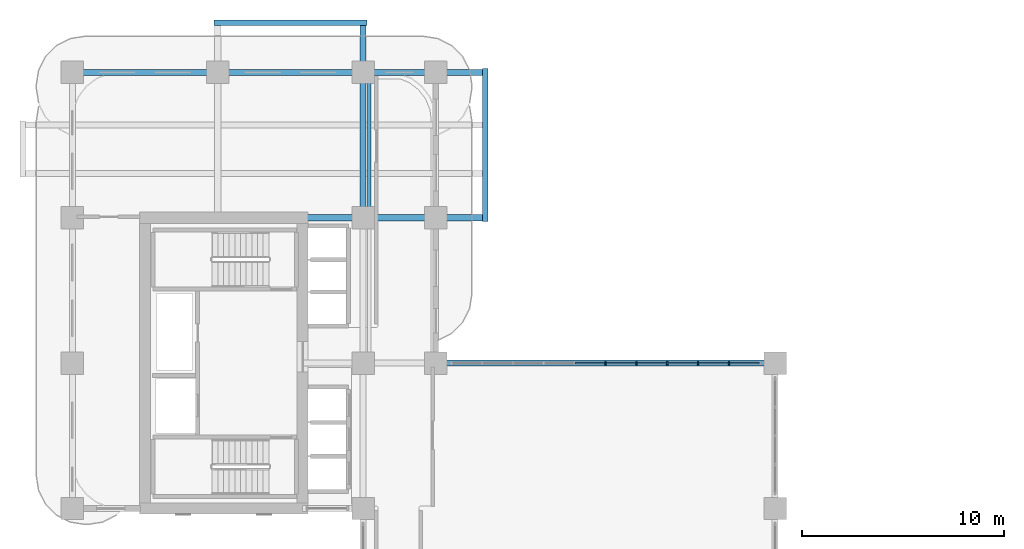
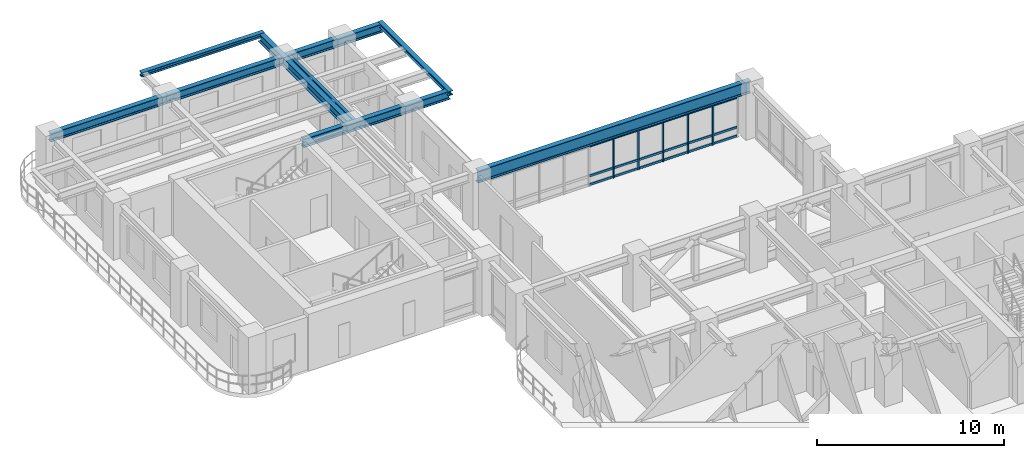
# One storey, part 6 of 21: 23 members, 8 beams, 1 element without a shape of its own.
"""IFC4 building model written with IfcOpenShell, lengths in metres."""

from ifc_helpers import new_model, si_unit, derived_unit, direction, frame, origin, origin_2d, place, context, subcontext, project, spatial, rectangle, i_section, extrude, source, transform, mapped, material, layer, layer_set, material_profile, profile_set, type_object, type_shapes, element, aggregate, save


model = new_model("IFC4")

# Units and contexts
model_context = context("Model", 3, precision=1e-05, world=origin(), true_north=direction((0.0, 1.0)))
body_context = subcontext(model_context, "Body", "Model", "MODEL_VIEW")
ifc_project = project(units=[si_unit("LENGTHUNIT", "METRE"), si_unit("AREAUNIT", "SQUARE_METRE"), si_unit("VOLUMEUNIT", "CUBIC_METRE"), si_unit("PLANEANGLEUNIT", "RADIAN"), si_unit("MASSUNIT", "GRAM", prefix="KILO"), si_unit("THERMODYNAMICTEMPERATUREUNIT", "KELVIN"), si_unit("POWERUNIT", "WATT"), derived_unit("THERMALTRANSMITTANCEUNIT", [(si_unit("POWERUNIT", "WATT"), 1), (si_unit("AREAUNIT", "SQUARE_METRE"), -1), (si_unit("THERMODYNAMICTEMPERATUREUNIT", "KELVIN"), -1)])], contexts=[model_context])

# Site, building, storey
site_placement = place(None, origin())
site = spatial("IfcSite", under=ifc_project, at=site_placement, CompositionType="ELEMENT")
building_placement = place(site_placement, origin())
building = spatial("IfcBuilding", under=site, at=building_placement, Name="Zahravan Archway Hotel and Residences", CompositionType="ELEMENT")
storey_placement = place(building_placement, frame((0.0, 0.0, 65.699951171875)))
storey = spatial("IfcBuildingStorey", under=building, at=storey_placement, Name="L15", CompositionType="ELEMENT", Elevation=65.699951171875)

# Beams
ifc_material_1 = material(Name="Structural Steel S355JR", Category="steel")
ifc_material_profile_1 = material_profile(ifc_material_1, i_section(OverallWidth=0.280029296875, OverallDepth=0.280029296875, WebThickness=0.010498046875, FlangeThickness=0.01806640625, FilletRadius=0.02392578125, at=origin_2d()), Name="HEB 280", Category="steel")
ifc_profile_set_1 = profile_set([ifc_material_profile_1], Name="Structural Steel S355JR")
beam_type_1 = type_object("IfcBeamType", Name="BM-SPN-HEB280", PredefinedType="SPANDREL", material=ifc_profile_set_1)
shared_shape_1 = source(origin(), body_context, "Body", "SweptSolid", [
    extrude(i_section(OverallWidth=0.280029296875, OverallDepth=0.280029296875, WebThickness=0.010498046875, FlangeThickness=0.01806640625, FilletRadius=0.02392578125, at=origin_2d()), origin(), (0.0, 0.0, 1.0), 7.56005859375),
])
type_shapes(beam_type_1, [shared_shape_1])
for number, where, z_axis, x_axis, name in (
    (1, (20.449951171875, 39.419921875, 3.31005859375), (0.0, 1.0, 0.0), (-1.0, 0.0, 0.0), "L16 EB Balcony Edge Spandrel"),
    (2, (7.02001953125, 49.25, 3.31005859375), (1.0, 0.0, 0.0), (0.0, 1.0, 0.0), "L16 NB Balcony Edge Spandrel"),
):
    element("IfcBeam", number, at=place(storey_placement, frame(where, z_axis=z_axis, x_axis=x_axis)), inside=storey, type_object=beam_type_1, Name=name, PredefinedType="SPANDREL", context=body_context, shape_type="MappedRepresentation", body=[
        mapped(shared_shape_1, transform((0.0, 0.0, 0.0), scale=1.0)),
    ])
ifc_material_profile_2 = material_profile(ifc_material_1, i_section(OverallWidth=0.300048828125, OverallDepth=0.550048828125, WebThickness=0.014892578125, FlangeThickness=0.029052734375, FilletRadius=0.027099609375, at=origin_2d()), Name="HEB 550", Category="steel")
ifc_profile_set_2 = profile_set([ifc_material_profile_2], Name="Structural Steel S355JR")
beam_type_2 = type_object("IfcBeamType", Name="BM-PRI-HEB550", PredefinedType="BEAM", material=ifc_profile_set_2)
shared_shape_2 = source(origin(), body_context, "Body", "SweptSolid", [
    extrude(i_section(OverallWidth=0.300048828125, OverallDepth=0.550048828125, WebThickness=0.014892578125, FlangeThickness=0.029052734375, FilletRadius=0.027099609375, at=origin_2d()), origin(), (0.0, 0.0, 1.0), 7.199951171875),
])
beam_1_placement = place(storey_placement, frame((0.0, 46.800048828125, 3.175048828125), z_axis=(1.0, 0.0, 0.0), x_axis=(0.0, 1.0, 0.0)))
element("IfcBeam", 3, at=beam_1_placement, inside=storey, type_object=beam_type_2, Name="L15 Primary Girder EW-22", PredefinedType="BEAM", context=body_context, shape_type="MappedRepresentation", body=[
    mapped(shared_shape_2, transform((0.0, 0.0, 0.0), scale=1.0)),
])
ifc_material_profile_3 = material_profile(ifc_material_1, i_section(OverallWidth=0.179931640625, OverallDepth=0.39990234375, WebThickness=0.008544921875, FlangeThickness=0.013427734375, FilletRadius=0.02099609375, at=origin_2d()), Name="IPE 400", Category="steel")
ifc_profile_set_3 = profile_set([ifc_material_profile_3], Name="Structural Steel S355JR")
beam_type_3 = type_object("IfcBeamType", Name="BM-JST-IPE400", PredefinedType="JOIST", material=ifc_profile_set_3)
shared_shape_3 = source(origin(), body_context, "Body", "SweptSolid", [
    extrude(i_section(OverallWidth=0.179931640625, OverallDepth=0.39990234375, WebThickness=0.008544921875, FlangeThickness=0.013427734375, FilletRadius=0.02099609375, at=origin_2d()), origin(), (0.0, 0.0, 1.0), 6.904052734375),
])
type_shapes(beam_type_3, [shared_shape_3])
beam_2_placement = place(storey_placement, frame((14.699951171875, 39.748046875, 3.25), z_axis=(0.0, 1.0, 0.0), x_axis=(-1.0, 0.0, 0.0)))
element("IfcBeam", 4, at=beam_2_placement, inside=storey, type_object=beam_type_3, Name="L15 Composite Floor Joist 12", PredefinedType="JOIST", context=body_context, shape_type="MappedRepresentation", body=[
    mapped(shared_shape_3, transform((0.0, 0.0, 0.0), scale=1.0)),
])
shared_shape_4 = source(origin(), body_context, "Body", "SweptSolid", [
    extrude(i_section(OverallWidth=0.300048828125, OverallDepth=0.550048828125, WebThickness=0.014892578125, FlangeThickness=0.029052734375, FilletRadius=0.027099609375, at=origin_2d()), origin(), (0.0, 0.0, 1.0), 9.050048828125),
])
beam_3_placement = place(storey_placement, frame((11.39990234375, 39.60009765625, 3.175048828125), z_axis=(1.0, 0.0, 0.0), x_axis=(0.0, 1.0, 0.0)))
element("IfcBeam", 5, at=beam_3_placement, inside=storey, type_object=beam_type_2, Name="L15 Primary Girder EW-21", PredefinedType="BEAM", context=body_context, shape_type="MappedRepresentation", body=[
    mapped(shared_shape_4, transform((0.0, 0.0, 0.0), scale=1.0)),
])
shared_shape_5 = source(origin(), body_context, "Body", "SweptSolid", [
    extrude(i_section(OverallWidth=0.300048828125, OverallDepth=0.550048828125, WebThickness=0.014892578125, FlangeThickness=0.029052734375, FilletRadius=0.027099609375, at=origin_2d()), origin(), (0.0, 0.0, 1.0), 13.25),
])
beam_4_placement = place(storey_placement, frame((7.199951171875, 46.800048828125, 3.175048828125), z_axis=(1.0, 0.0, 0.0), x_axis=(0.0, 1.0, 0.0)))
element("IfcBeam", 6, at=beam_4_placement, inside=storey, type_object=beam_type_2, Name="L15 Primary Girder EW-23", PredefinedType="BEAM", context=body_context, shape_type="MappedRepresentation", body=[
    mapped(shared_shape_5, transform((0.0, 0.0, 0.0), scale=1.0)),
])
shared_shape_6 = source(origin(), body_context, "Body", "SweptSolid", [
    extrude(i_section(OverallWidth=0.300048828125, OverallDepth=0.550048828125, WebThickness=0.014892578125, FlangeThickness=0.029052734375, FilletRadius=0.027099609375, at=origin_2d()), origin(), (0.0, 0.0, 1.0), 9.64990234375),
])
beam_5_placement = place(storey_placement, frame((14.39990234375, 39.60009765625, 3.175048828125), z_axis=(0.0, 1.0, 0.0), x_axis=(-1.0, 0.0, 0.0)))
element("IfcBeam", 7, at=beam_5_placement, inside=storey, type_object=beam_type_2, Name="L15 Primary Girder NS-36", PredefinedType="BEAM", context=body_context, shape_type="MappedRepresentation", body=[
    mapped(shared_shape_6, transform((0.0, 0.0, 0.0), scale=1.0)),
])
ifc_material_2 = material(Name="Structural Steel S355J2", Category="steel")
ifc_material_profile_4 = material_profile(ifc_material_2, i_section(OverallWidth=0.300048828125, OverallDepth=0.800048828125, WebThickness=0.017578125, FlangeThickness=0.032958984375, FilletRadius=0.030029296875, at=origin_2d()), Name="HEB 800", Category="steel")
ifc_profile_set_4 = profile_set([ifc_material_profile_4], Name="Structural Steel S355J2")
beam_type_4 = type_object("IfcBeamType", Name="BM-PRI-HEB800", PredefinedType="BEAM", material=ifc_profile_set_4)
shared_shape_7 = source(origin(), body_context, "Body", "SweptSolid", [
    extrude(i_section(OverallWidth=0.300048828125, OverallDepth=0.800048828125, WebThickness=0.017578125, FlangeThickness=0.032958984375, FilletRadius=0.030029296875, at=origin_2d()), origin(), (0.0, 0.0, 1.0), 16.800048828125),
])
type_shapes(beam_type_4, [shared_shape_7])
beam_6_placement = place(storey_placement, frame((18.0, 32.39990234375, 3.050048828125), z_axis=(1.0, 0.0, 0.0), x_axis=(0.0, 1.0, 0.0)))
element("IfcBeam", 8, at=beam_6_placement, inside=storey, type_object=beam_type_4, Name="L15 Primary Girder EW-20", PredefinedType="BEAM", context=body_context, shape_type="MappedRepresentation", body=[
    mapped(shared_shape_7, transform((0.0, 0.0, 0.0), scale=1.0)),
])

# Curtain wall, members
ifc_material_3 = material(Name="Bronze-Anodized Unitised Aluminium & Low-E Glass", Category="aluminium")
ifc_layer = layer(ifc_material_3, 0.179931640625, Name="Bronze-Anodized Unitised Aluminium & Low-E Glass", Category="aluminium")
ifc_layer_set = layer_set([ifc_layer], Name="Bronze-Anodized Unitised Aluminium & Low-E Glass")
curtain_wall_type = type_object("IfcCurtainWallType", Name="CW-SBG-1", PredefinedType="NOTDEFINED", material=ifc_layer_set)
curtain_wall_placement = place(storey_placement, origin())
curtain_wall = element("IfcCurtainWall", 9, at=curtain_wall_placement, inside=storey, type_object=curtain_wall_type, Name="L15 Curtain Wall CW-L15-HNG-N-1", PredefinedType="NOTDEFINED")
ifc_material_4 = material(Name="Bronze-Anodized Extruded Aluminium", Category="aluminium")
ifc_material_profile_5 = material_profile(ifc_material_4, rectangle(XDim=0.080078125, YDim=0.159912109375, at=origin_2d()), Name="MUL 80x160", Category="aluminium")
ifc_profile_set_5 = profile_set([ifc_material_profile_5], Name="Bronze-Anodized Extruded Aluminium")
member_type_1 = type_object("IfcMemberType", Name="CWM-MUL-160", PredefinedType="MULLION", material=ifc_profile_set_5)
shared_shape_8 = source(origin(), body_context, "Body", "SweptSolid", [
    extrude(rectangle(XDim=0.080078125, YDim=0.159912109375, at=origin_2d()), origin(), (0.0, 0.0, 1.0), 2.635009765625),
])
member_1_placement = place(storey_placement, frame((26.39990234375, 32.39990234375, 0.0), z_axis=(0.0, 0.0, 1.0), x_axis=(1.0, 0.0, 0.0)))
member_1 = element("IfcMember", 10, at=member_1_placement, type_object=member_type_1, Name="CW-L15-HNG-N-1 Mullion 5", PredefinedType="MULLION", context=body_context, shape_type="MappedRepresentation", body=[
    mapped(shared_shape_8, transform((0.0, 0.0, 0.0), scale=1.0)),
])
member_2_placement = place(storey_placement, frame((27.927978515625, 32.39990234375, 0.0), z_axis=(0.0, 0.0, 1.0), x_axis=(1.0, 0.0, 0.0)))
member_2 = element("IfcMember", 11, at=member_2_placement, type_object=member_type_1, Name="CW-L15-HNG-N-1 Mullion 6", PredefinedType="MULLION", context=body_context, shape_type="MappedRepresentation", body=[
    mapped(shared_shape_8, transform((0.0, 0.0, 0.0), scale=1.0)),
])
member_3_placement = place(storey_placement, frame((29.4560546875, 32.39990234375, 0.0), z_axis=(0.0, 0.0, 1.0), x_axis=(1.0, 0.0, 0.0)))
member_3 = element("IfcMember", 12, at=member_3_placement, type_object=member_type_1, Name="CW-L15-HNG-N-1 Mullion 7", PredefinedType="MULLION", context=body_context, shape_type="MappedRepresentation", body=[
    mapped(shared_shape_8, transform((0.0, 0.0, 0.0), scale=1.0)),
])
member_4_placement = place(storey_placement, frame((30.98388671875, 32.39990234375, 0.0), z_axis=(0.0, 0.0, 1.0), x_axis=(1.0, 0.0, 0.0)))
member_4 = element("IfcMember", 13, at=member_4_placement, type_object=member_type_1, Name="CW-L15-HNG-N-1 Mullion 8", PredefinedType="MULLION", context=body_context, shape_type="MappedRepresentation", body=[
    mapped(shared_shape_8, transform((0.0, 0.0, 0.0), scale=1.0)),
])
member_5_placement = place(storey_placement, frame((32.511962890625, 32.39990234375, 0.0), z_axis=(0.0, 0.0, 1.0), x_axis=(1.0, 0.0, 0.0)))
member_5 = element("IfcMember", 14, at=member_5_placement, type_object=member_type_1, Name="CW-L15-HNG-N-1 Mullion 9", PredefinedType="MULLION", context=body_context, shape_type="MappedRepresentation", body=[
    mapped(shared_shape_8, transform((0.0, 0.0, 0.0), scale=1.0)),
])
ifc_material_profile_6 = material_profile(ifc_material_4, rectangle(XDim=0.080078125, YDim=0.139892578125, at=origin_2d()), Name="TRN 80x140", Category="aluminium")
ifc_profile_set_6 = profile_set([ifc_material_profile_6], Name="Bronze-Anodized Extruded Aluminium")
member_type_2 = type_object("IfcMemberType", Name="CWM-TRN-140", PredefinedType="USERDEFINED", material=ifc_profile_set_6)
shared_shape_9 = source(origin(), body_context, "Body", "SweptSolid", [
    extrude(rectangle(XDim=0.080078125, YDim=0.139892578125, at=origin_2d()), origin(), (0.0, 0.0, 1.0), 1.447998046875),
])
member_6_placement = place(storey_placement, frame((24.912109375, 32.39990234375, 0.070068359375), z_axis=(1.0, 0.0, 0.0), x_axis=(0.0, 1.0, 0.0)))
member_6 = element("IfcMember", 15, at=member_6_placement, type_object=member_type_2, Name="CW-L15-HNG-N-1 Transom 4-1", ObjectType="TRANSOM", PredefinedType="USERDEFINED", context=body_context, shape_type="MappedRepresentation", body=[
    mapped(shared_shape_9, transform((0.0, 0.0, 0.0), scale=1.0)),
])
member_7_placement = place(storey_placement, frame((24.912109375, 32.39990234375, 0.632568359375), z_axis=(1.0, 0.0, 0.0), x_axis=(0.0, 1.0, 0.0)))
member_7 = element("IfcMember", 16, at=member_7_placement, type_object=member_type_2, Name="CW-L15-HNG-N-1 Transom 4-2", ObjectType="TRANSOM", PredefinedType="USERDEFINED", context=body_context, shape_type="MappedRepresentation", body=[
    mapped(shared_shape_9, transform((0.0, 0.0, 0.0), scale=1.0)),
])
member_8_placement = place(storey_placement, frame((24.912109375, 32.39990234375, 2.56494140625), z_axis=(1.0, 0.0, 0.0), x_axis=(0.0, 1.0, 0.0)))
member_8 = element("IfcMember", 17, at=member_8_placement, type_object=member_type_2, Name="CW-L15-HNG-N-1 Transom 4-3", ObjectType="TRANSOM", PredefinedType="USERDEFINED", context=body_context, shape_type="MappedRepresentation", body=[
    mapped(shared_shape_9, transform((0.0, 0.0, 0.0), scale=1.0)),
])
member_9_placement = place(storey_placement, frame((26.43994140625, 32.39990234375, 0.070068359375), z_axis=(1.0, 0.0, 0.0), x_axis=(0.0, 1.0, 0.0)))
member_9 = element("IfcMember", 18, at=member_9_placement, type_object=member_type_2, Name="CW-L15-HNG-N-1 Transom 5-1", ObjectType="TRANSOM", PredefinedType="USERDEFINED", context=body_context, shape_type="MappedRepresentation", body=[
    mapped(shared_shape_9, transform((0.0, 0.0, 0.0), scale=1.0)),
])
member_10_placement = place(storey_placement, frame((26.43994140625, 32.39990234375, 0.632568359375), z_axis=(1.0, 0.0, 0.0), x_axis=(0.0, 1.0, 0.0)))
member_10 = element("IfcMember", 19, at=member_10_placement, type_object=member_type_2, Name="CW-L15-HNG-N-1 Transom 5-2", ObjectType="TRANSOM", PredefinedType="USERDEFINED", context=body_context, shape_type="MappedRepresentation", body=[
    mapped(shared_shape_9, transform((0.0, 0.0, 0.0), scale=1.0)),
])
member_11_placement = place(storey_placement, frame((26.43994140625, 32.39990234375, 2.56494140625), z_axis=(1.0, 0.0, 0.0), x_axis=(0.0, 1.0, 0.0)))
member_11 = element("IfcMember", 20, at=member_11_placement, type_object=member_type_2, Name="CW-L15-HNG-N-1 Transom 5-3", ObjectType="TRANSOM", PredefinedType="USERDEFINED", context=body_context, shape_type="MappedRepresentation", body=[
    mapped(shared_shape_9, transform((0.0, 0.0, 0.0), scale=1.0)),
])
member_12_placement = place(storey_placement, frame((27.968017578125, 32.39990234375, 0.070068359375), z_axis=(1.0, 0.0, 0.0), x_axis=(0.0, 1.0, 0.0)))
member_12 = element("IfcMember", 21, at=member_12_placement, type_object=member_type_2, Name="CW-L15-HNG-N-1 Transom 6-1", ObjectType="TRANSOM", PredefinedType="USERDEFINED", context=body_context, shape_type="MappedRepresentation", body=[
    mapped(shared_shape_9, transform((0.0, 0.0, 0.0), scale=1.0)),
])
member_13_placement = place(storey_placement, frame((27.968017578125, 32.39990234375, 0.632568359375), z_axis=(1.0, 0.0, 0.0), x_axis=(0.0, 1.0, 0.0)))
member_13 = element("IfcMember", 22, at=member_13_placement, type_object=member_type_2, Name="CW-L15-HNG-N-1 Transom 6-2", ObjectType="TRANSOM", PredefinedType="USERDEFINED", context=body_context, shape_type="MappedRepresentation", body=[
    mapped(shared_shape_9, transform((0.0, 0.0, 0.0), scale=1.0)),
])
member_14_placement = place(storey_placement, frame((27.968017578125, 32.39990234375, 2.56494140625), z_axis=(1.0, 0.0, 0.0), x_axis=(0.0, 1.0, 0.0)))
member_14 = element("IfcMember", 23, at=member_14_placement, type_object=member_type_2, Name="CW-L15-HNG-N-1 Transom 6-3", ObjectType="TRANSOM", PredefinedType="USERDEFINED", context=body_context, shape_type="MappedRepresentation", body=[
    mapped(shared_shape_9, transform((0.0, 0.0, 0.0), scale=1.0)),
])
member_15_placement = place(storey_placement, frame((29.49609375, 32.39990234375, 0.070068359375), z_axis=(1.0, 0.0, 0.0), x_axis=(0.0, 1.0, 0.0)))
member_15 = element("IfcMember", 24, at=member_15_placement, type_object=member_type_2, Name="CW-L15-HNG-N-1 Transom 7-1", ObjectType="TRANSOM", PredefinedType="USERDEFINED", context=body_context, shape_type="MappedRepresentation", body=[
    mapped(shared_shape_9, transform((0.0, 0.0, 0.0), scale=1.0)),
])
member_16_placement = place(storey_placement, frame((29.49609375, 32.39990234375, 0.632568359375), z_axis=(1.0, 0.0, 0.0), x_axis=(0.0, 1.0, 0.0)))
member_16 = element("IfcMember", 25, at=member_16_placement, type_object=member_type_2, Name="CW-L15-HNG-N-1 Transom 7-2", ObjectType="TRANSOM", PredefinedType="USERDEFINED", context=body_context, shape_type="MappedRepresentation", body=[
    mapped(shared_shape_9, transform((0.0, 0.0, 0.0), scale=1.0)),
])
member_17_placement = place(storey_placement, frame((29.49609375, 32.39990234375, 2.56494140625), z_axis=(1.0, 0.0, 0.0), x_axis=(0.0, 1.0, 0.0)))
member_17 = element("IfcMember", 26, at=member_17_placement, type_object=member_type_2, Name="CW-L15-HNG-N-1 Transom 7-3", ObjectType="TRANSOM", PredefinedType="USERDEFINED", context=body_context, shape_type="MappedRepresentation", body=[
    mapped(shared_shape_9, transform((0.0, 0.0, 0.0), scale=1.0)),
])
member_18_placement = place(storey_placement, frame((31.02392578125, 32.39990234375, 0.070068359375), z_axis=(1.0, 0.0, 0.0), x_axis=(0.0, 1.0, 0.0)))
member_18 = element("IfcMember", 27, at=member_18_placement, type_object=member_type_2, Name="CW-L15-HNG-N-1 Transom 8-1", ObjectType="TRANSOM", PredefinedType="USERDEFINED", context=body_context, shape_type="MappedRepresentation", body=[
    mapped(shared_shape_9, transform((0.0, 0.0, 0.0), scale=1.0)),
])
member_19_placement = place(storey_placement, frame((31.02392578125, 32.39990234375, 0.632568359375), z_axis=(1.0, 0.0, 0.0), x_axis=(0.0, 1.0, 0.0)))
member_19 = element("IfcMember", 28, at=member_19_placement, type_object=member_type_2, Name="CW-L15-HNG-N-1 Transom 8-2", ObjectType="TRANSOM", PredefinedType="USERDEFINED", context=body_context, shape_type="MappedRepresentation", body=[
    mapped(shared_shape_9, transform((0.0, 0.0, 0.0), scale=1.0)),
])
member_20_placement = place(storey_placement, frame((31.02392578125, 32.39990234375, 2.56494140625), z_axis=(1.0, 0.0, 0.0), x_axis=(0.0, 1.0, 0.0)))
member_20 = element("IfcMember", 29, at=member_20_placement, type_object=member_type_2, Name="CW-L15-HNG-N-1 Transom 8-3", ObjectType="TRANSOM", PredefinedType="USERDEFINED", context=body_context, shape_type="MappedRepresentation", body=[
    mapped(shared_shape_9, transform((0.0, 0.0, 0.0), scale=1.0)),
])
member_21_placement = place(storey_placement, frame((32.552001953125, 32.39990234375, 0.070068359375), z_axis=(1.0, 0.0, 0.0), x_axis=(0.0, 1.0, 0.0)))
member_21 = element("IfcMember", 30, at=member_21_placement, type_object=member_type_2, Name="CW-L15-HNG-N-1 Transom 9-1", ObjectType="TRANSOM", PredefinedType="USERDEFINED", context=body_context, shape_type="MappedRepresentation", body=[
    mapped(shared_shape_9, transform((0.0, 0.0, 0.0), scale=1.0)),
])
member_22_placement = place(storey_placement, frame((32.552001953125, 32.39990234375, 0.632568359375), z_axis=(1.0, 0.0, 0.0), x_axis=(0.0, 1.0, 0.0)))
member_22 = element("IfcMember", 31, at=member_22_placement, type_object=member_type_2, Name="CW-L15-HNG-N-1 Transom 9-2", ObjectType="TRANSOM", PredefinedType="USERDEFINED", context=body_context, shape_type="MappedRepresentation", body=[
    mapped(shared_shape_9, transform((0.0, 0.0, 0.0), scale=1.0)),
])
member_23_placement = place(storey_placement, frame((32.552001953125, 32.39990234375, 2.56494140625), z_axis=(1.0, 0.0, 0.0), x_axis=(0.0, 1.0, 0.0)))
member_23 = element("IfcMember", 32, at=member_23_placement, type_object=member_type_2, Name="CW-L15-HNG-N-1 Transom 9-3", ObjectType="TRANSOM", PredefinedType="USERDEFINED", context=body_context, shape_type="MappedRepresentation", body=[
    mapped(shared_shape_9, transform((0.0, 0.0, 0.0), scale=1.0)),
])
aggregate(curtain_wall, [member_1, member_2, member_3, member_4, member_5, member_6, member_7, member_8, member_9, member_10, member_11, member_12, member_13, member_14, member_15, member_16, member_17, member_18, member_19, member_20, member_21, member_22, member_23])

save(model, "model.ifc")
